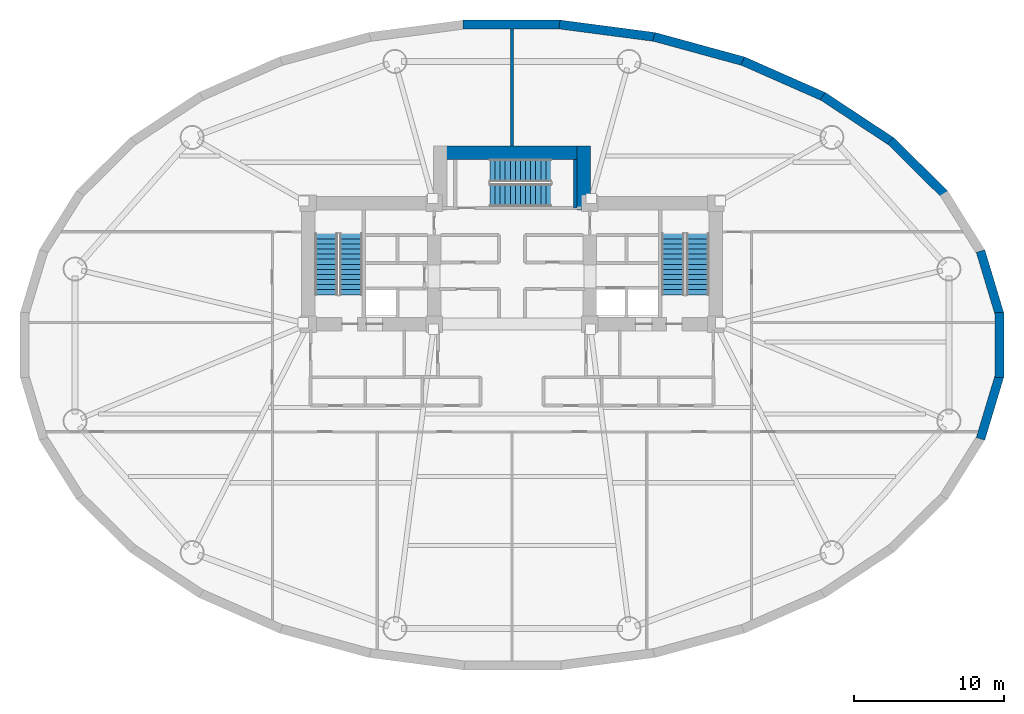
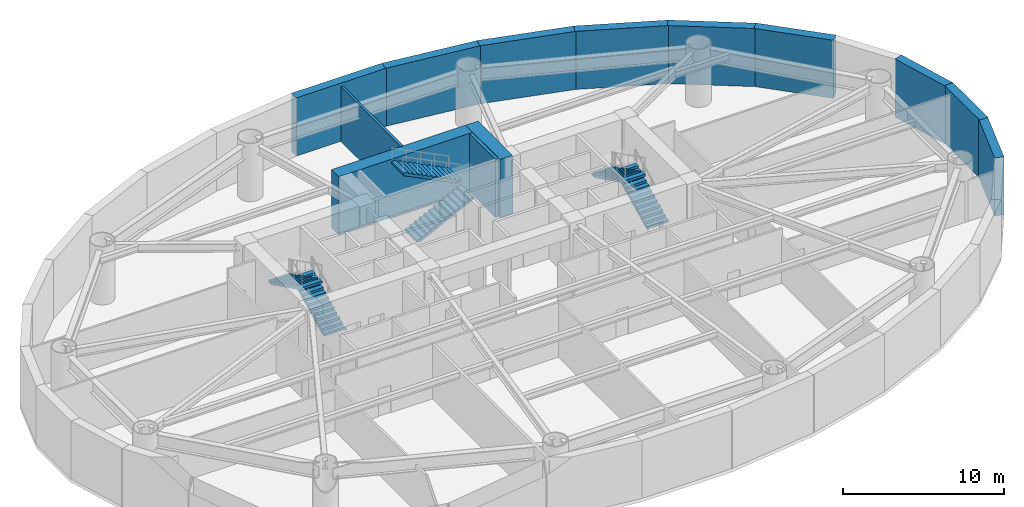
# One storey, part 5 of 6: 13 walls, 6 stair flights, 3 elements without a shape of their own.
"""IFC4 building model written with IfcOpenShell, lengths in metres."""

import ifcopenshell
import ifcopenshell.guid

model = None  # the IFC model being written
_history = None  # IfcOwnerHistory: only IFC2X3 demands one
_inside = {}  # id of a spatial element -> (the spatial element, [elements in it])
_under = {}  # id of a project, library or spatial element -> (it, [spatial elements below it])
_declared = {}  # id of a project -> (the project, [libraries it declares])
_typed = {}  # id of a type object -> (the type object, [elements of that type])
_made_of = {}  # id of a material, layer set ... -> (it, [elements and type objects made of it])


def new_model(schema):
    """Start an empty IFC model of exactly this schema.

    Asked for "IFC4X3", IfcOpenShell would pick the latest addendum, in which some entities
    have other attributes; the version numbers below select the first issue.
    IFC2X3 requires an IfcOwnerHistory on every rooted entity: one is made here for all.
    """
    global model, _history
    if schema == "IFC4X3":
        model = ifcopenshell.file(schema_version=(4, 3, 0, 0))
    else:
        model = ifcopenshell.file(schema=schema)
    _inside.clear()
    _under.clear()
    _declared.clear()
    _typed.clear()
    _made_of.clear()
    _history = None
    if model.schema == "IFC2X3":
        org = make("IfcOrganization", Name="unknown")
        user = make(
            "IfcPersonAndOrganization",
            ThePerson=make("IfcPerson", FamilyName="unknown"),
            TheOrganization=org,
        )
        app = make(
            "IfcApplication",
            ApplicationDeveloper=org,
            Version="unknown",
            ApplicationFullName="unknown",
            ApplicationIdentifier="unknown",
        )
        _history = make(
            "IfcOwnerHistory",
            OwningUser=user,
            OwningApplication=app,
            ChangeAction="ADDED",
            CreationDate=0,
        )
    return model


def make(cls, **values):
    """One entity of the class cls with the attributes given. An attribute that is None is left unset."""
    return model.create_entity(
        cls, **{name: value for name, value in values.items() if value is not None}
    )


def rooted(cls, **values):
    """An entity with a GlobalId (a new one), such as an element, a storey or a relation."""
    return make(cls, GlobalId=ifcopenshell.guid.new(), OwnerHistory=_history, **values)


def si_unit(unit_type, name, prefix=None):
    """IfcSIUnit, for example si_unit("LENGTHUNIT", "METRE", prefix="MILLI")."""
    return make("IfcSIUnit", UnitType=unit_type, Prefix=prefix, Name=name)


def assignment(units):
    """IfcUnitAssignment: the units of a project."""
    return None if units is None else make("IfcUnitAssignment", Units=units)


def point(xyz):
    """IfcCartesianPoint."""
    return None if xyz is None else make("IfcCartesianPoint", Coordinates=xyz)


def direction(xyz):
    """IfcDirection."""
    return None if xyz is None else make("IfcDirection", DirectionRatios=xyz)


def frame(location, z_axis=None, x_axis=None):
    """IfcAxis2Placement3D, a coordinate frame: its origin and axes. An axis left out is left unset."""
    return make(
        "IfcAxis2Placement3D",
        Location=point(location),
        Axis=direction(z_axis),
        RefDirection=direction(x_axis),
    )


def frame_2d(location, x_axis=None):
    """IfcAxis2Placement2D, a coordinate frame in the plane: its origin and x axis."""
    return make(
        "IfcAxis2Placement2D", Location=point(location), RefDirection=direction(x_axis)
    )


def origin():
    """The frame at (0, 0, 0) with its axes left unset."""
    return frame((0.0, 0.0, 0.0))


def place(relative_to, where):
    """IfcLocalPlacement: puts the frame where relative to a parent placement (None: the world)."""
    return make(
        "IfcLocalPlacement", PlacementRelTo=relative_to, RelativePlacement=where
    )


def context(
    kind, dimensions, precision=None, world=None, true_north=None, identifier=None
):
    """IfcGeometricRepresentationContext, for example the 3D "Model" context."""
    return make(
        "IfcGeometricRepresentationContext",
        ContextIdentifier=identifier,
        ContextType=kind,
        CoordinateSpaceDimension=dimensions,
        Precision=precision,
        WorldCoordinateSystem=world,
        TrueNorth=true_north,
    )


def subcontext(parent, identifier, kind, view, scale=None):
    """IfcGeometricRepresentationSubContext, for example "Body" below "Model"."""
    return make(
        "IfcGeometricRepresentationSubContext",
        ContextIdentifier=identifier,
        ContextType=kind,
        ParentContext=parent,
        TargetScale=scale,
        TargetView=view,
    )


def project(units=None, contexts=None):
    """IfcProject with its units and contexts."""
    return rooted(
        "IfcProject",
        Name="project",
        RepresentationContexts=contexts,
        UnitsInContext=assignment(units),
    )


def spatial(cls, under=None, at=None, **own):
    """A site, building, storey or space (cls), placed at a placement, below another one or the project."""
    s = rooted(cls, ObjectPlacement=at, **own)
    if under is not None:
        _under.setdefault(under.id(), (under, []))[1].append(s)
    return s


def polyline(points):
    """IfcPolyline through the points."""
    return make("IfcPolyline", Points=[point(p) for p in points])


def profile(cls, at=None, kind="AREA", **sizes):
    """A parametric profile (cls). Its sizes go by their IFC names, for example OverallWidth=200.0."""
    return make(cls, ProfileType=kind, Position=at, **sizes)


def rectangle(**sizes):
    """IfcRectangleProfileDef."""
    return profile("IfcRectangleProfileDef", **sizes)


def outline(outer, holes=None, kind="AREA"):
    """IfcArbitraryClosedProfileDef: a profile drawn as a closed curve; with holes, ...WithVoids."""
    if holes is None:
        return make("IfcArbitraryClosedProfileDef", ProfileType=kind, OuterCurve=outer)
    return make(
        "IfcArbitraryProfileDefWithVoids",
        ProfileType=kind,
        OuterCurve=outer,
        InnerCurves=holes,
    )


def extrude(swept, where, along, depth):
    """IfcExtrudedAreaSolid: the profile swept, set in the frame where, extruded along a direction by depth."""
    return make(
        "IfcExtrudedAreaSolid",
        SweptArea=swept,
        Position=where,
        ExtrudedDirection=direction(along),
        Depth=depth,
    )


def shape(context_of_items, identifier, shape_type, items):
    """IfcShapeRepresentation: the items that make up one representation, for example the "Body"."""
    return make(
        "IfcShapeRepresentation",
        ContextOfItems=context_of_items,
        RepresentationIdentifier=identifier,
        RepresentationType=shape_type,
        Items=items,
    )


def material(Name=None, Category=None):
    """IfcMaterial."""
    return make("IfcMaterial", Name=Name, Category=Category)


def layer(
    of_material, thickness, ventilated=None, Name=None, Category=None, Priority=None
):
    """IfcMaterialLayer: one layer of a wall or slab, of a material (None: an air gap)."""
    return make(
        "IfcMaterialLayer",
        Material=of_material,
        LayerThickness=thickness,
        IsVentilated=ventilated,
        Name=Name,
        Category=Category,
        Priority=Priority,
    )


def layer_set(layers, Name=None):
    """IfcMaterialLayerSet."""
    return make("IfcMaterialLayerSet", MaterialLayers=layers, LayerSetName=Name)


def made_of(thing, what):
    """Note that an element or type object is made of a material, layer set ...; save() writes the relation."""
    if what is not None:
        _made_of.setdefault(what.id(), (what, []))[1].append(thing)
    return thing


def type_object(cls, material=None, **own):
    """A type object (cls), such as IfcWallType, which elements share."""
    return made_of(rooted(cls, **own), material)


def element(
    cls,
    number,
    at=None,
    inside=None,
    cuts=None,
    type_object=None,
    material=None,
    context=None,
    identifier="Body",
    shape_type=None,
    held_by="IfcProductDefinitionShape",
    body=None,
    shapes=None,
    **own,
):
    """One element of the class cls, such as IfcWall. Its Tag is "e" and its number.

    at: its placement. inside: the storey or other place that contains it. cuts: it is an
    opening in that element (IfcRelVoidsElement). A single representation is given by context,
    identifier, shape_type and body (its items); several are given by shapes. held_by: the class
    of the entity that holds the representations. save() writes the other relations.
    """
    e = rooted(cls, Tag="e%d" % number, ObjectPlacement=at, **own)
    if body is not None:
        shapes = [shape(context, identifier, shape_type, body)]
    if shapes is not None:
        e.Representation = make(held_by, Representations=shapes)
    if inside is not None:
        _inside.setdefault(inside.id(), (inside, []))[1].append(e)
    if cuts is not None:
        rooted(
            "IfcRelVoidsElement", RelatingBuildingElement=cuts, RelatedOpeningElement=e
        )
    if type_object is not None:
        _typed.setdefault(type_object.id(), (type_object, []))[1].append(e)
    return made_of(e, material)


def aggregate(whole, parts):
    """IfcRelAggregates: a whole, such as a stair, and the parts it consists of."""
    return rooted("IfcRelAggregates", RelatingObject=whole, RelatedObjects=parts)


def save(model, path):
    """Write the relations noted so far, then the file.

    IfcRelAggregates (storeys below a building ...), IfcRelContainedInSpatialStructure (elements
    in a storey), IfcRelDefinesByType, IfcRelAssociatesMaterial and IfcRelDeclares: one each for
    every whole, place, type object, material and project.
    """
    for whole, parts in _under.values():
        aggregate(whole, parts)
    for where, things in _inside.values():
        rooted(
            "IfcRelContainedInSpatialStructure",
            RelatedElements=things,
            RelatingStructure=where,
        )
    for kind, things in _typed.values():
        rooted("IfcRelDefinesByType", RelatedObjects=things, RelatingType=kind)
    for what, things in _made_of.values():
        rooted("IfcRelAssociatesMaterial", RelatedObjects=things, RelatingMaterial=what)
    for by, libraries in _declared.values():
        rooted("IfcRelDeclares", RelatingContext=by, RelatedDefinitions=libraries)
    model.write(path)


model = new_model("IFC4")

# Units and contexts
model_context = context("Model", 3, precision=1e-05, world=origin(), true_north=direction((0.0, 1.0)))
body_context = subcontext(model_context, "Body", "Model", "MODEL_VIEW")
ifc_project = project(units=[si_unit("LENGTHUNIT", "METRE"), si_unit("AREAUNIT", "SQUARE_METRE"), si_unit("VOLUMEUNIT", "CUBIC_METRE"), si_unit("PLANEANGLEUNIT", "RADIAN"), si_unit("MASSUNIT", "GRAM", prefix="KILO")], contexts=[model_context])

# Site, building, storey
site_placement = place(None, origin())
site = spatial("IfcSite", under=ifc_project, at=site_placement, CompositionType="ELEMENT")
building_placement = place(site_placement, origin())
building = spatial("IfcBuilding", under=site, at=building_placement, Name="Keldmark Tower", CompositionType="ELEMENT")
storey_placement = place(building_placement, frame((0.0, 0.0, -4.39990234375)))
storey = spatial("IfcBuildingStorey", under=building, at=storey_placement, Name="B01", CompositionType="ELEMENT", Elevation=-4.39990234375)

# Walls
ifc_material_1 = material(Name="Concrete C50/60", Category="concrete")
ifc_layer_1 = layer(ifc_material_1, 0.60009765625)
ifc_layer_set_1 = layer_set([ifc_layer_1], Name="Concrete C50/60")
wall_type_1 = type_object("IfcWallType", Name="Basement Retaining Wall 600 mm", PredefinedType="USERDEFINED", material=ifc_layer_set_1)
wall_1_placement = place(storey_placement, frame((32.5625, 2.021484375, 0.0), z_axis=(0.0, 0.0, 1.0), x_axis=(-0.288296686647, 0.95754113252, 0.0)))
element("IfcWall", 1, at=wall_1_placement, inside=storey, type_object=wall_type_1, Name="B01 Perimeter Retaining Wall 01", ObjectType="RETAINING WALL", PredefinedType="USERDEFINED", context=body_context, shape_type="SweptSolid", body=[
    extrude(rectangle(XDim=4.4375, YDim=0.60009765625, at=frame_2d((2.21875, 0.0))), origin(), (0.0, 0.0, 1.0), 4.39990234375),
])
wall_2_placement = place(storey_placement, frame((28.913818359375, 10.0419921875, 0.0), z_axis=(0.0, 0.0, 1.0), x_axis=(-0.711105403666, 0.70308541791, 0.0)))
element("IfcWall", 2, at=wall_2_placement, inside=storey, type_object=wall_type_1, Name="B01 Perimeter Retaining Wall 03", ObjectType="RETAINING WALL", PredefinedType="USERDEFINED", context=body_context, shape_type="SweptSolid", body=[
    extrude(rectangle(XDim=5.1142578125, YDim=0.60009765625, at=frame_2d((2.55712890625, 0.0))), origin(), (0.0, 0.0, 1.0), 4.39990234375),
])
wall_3_placement = place(storey_placement, frame((25.368896484375, 13.56298828125, 0.0), z_axis=(0.0, 0.0, 1.0), x_axis=(-0.834367518908, 0.551208529861, 0.0)))
element("IfcWall", 3, at=wall_3_placement, inside=storey, type_object=wall_type_1, Name="B01 Perimeter Retaining Wall 04", ObjectType="RETAINING WALL", PredefinedType="USERDEFINED", context=body_context, shape_type="SweptSolid", body=[
    extrude(rectangle(XDim=5.542236328125, YDim=0.60009765625, at=frame_2d((2.77099609375, 0.0))), origin(), (0.0, 0.0, 1.0), 4.39990234375),
])
wall_4_placement = place(storey_placement, frame((20.84130859375, 16.56494140625, 0.0), z_axis=(0.0, 0.0, 1.0), x_axis=(-0.91483072277, 0.403837527574, 0.0)))
element("IfcWall", 4, at=wall_4_placement, inside=storey, type_object=wall_type_1, Name="B01 Perimeter Retaining Wall 05", ObjectType="RETAINING WALL", PredefinedType="USERDEFINED", context=body_context, shape_type="SweptSolid", body=[
    extrude(rectangle(XDim=5.939697265625, YDim=0.60009765625, at=frame_2d((2.9697265625, 0.0))), origin(), (0.0, 0.0, 1.0), 4.39990234375),
])
wall_5_placement = place(storey_placement, frame((15.505859375, 18.9287109375, 0.0), z_axis=(0.0, 0.0, 1.0), x_axis=(-0.964548276597, 0.263906464707, 0.0)))
element("IfcWall", 5, at=wall_5_placement, inside=storey, type_object=wall_type_1, Name="B01 Perimeter Retaining Wall 06", ObjectType="RETAINING WALL", PredefinedType="USERDEFINED", context=body_context, shape_type="SweptSolid", body=[
    extrude(rectangle(XDim=6.256591796875, YDim=0.60009765625, at=frame_2d((3.12841796875, 0.0))), origin(), (0.0, 0.0, 1.0), 4.39990234375),
])
wall_6_placement = place(storey_placement, frame((9.570068359375, 20.559814453125, 0.0), z_axis=(0.0, 0.0, 1.0), x_axis=(-0.991471782517, 0.130321542624, 0.0)))
element("IfcWall", 6, at=wall_6_placement, inside=storey, type_object=wall_type_1, Name="B01 Perimeter Retaining Wall 07", ObjectType="RETAINING WALL", PredefinedType="USERDEFINED", context=body_context, shape_type="SweptSolid", body=[
    extrude(rectangle(XDim=6.45947265625, YDim=0.60009765625, at=frame_2d((3.229736328125, 0.0))), origin(), (0.0, 0.0, 1.0), 4.39990234375),
])
wall_7_placement = place(storey_placement, frame((3.2646484375, 21.39501953125, 0.0), z_axis=(0.0, 0.0, 1.0), x_axis=(-1.0, 0.0, 0.0)))
element("IfcWall", 7, at=wall_7_placement, inside=storey, type_object=wall_type_1, Name="B01 Perimeter Retaining Wall 08", ObjectType="RETAINING WALL", PredefinedType="USERDEFINED", context=body_context, shape_type="SweptSolid", body=[
    extrude(rectangle(XDim=6.529296875, YDim=0.60009765625, at=frame_2d((3.2646484375, 0.0))), origin(), (0.0, 0.0, 1.0), 4.39990234375),
])
wall_8_placement = place(storey_placement, frame((31.283203125, -6.2705078125, 0.0), z_axis=(0.0, 0.0, 1.0), x_axis=(0.288296686647, 0.95754113252, 0.0)))
element("IfcWall", 8, at=wall_8_placement, inside=storey, type_object=wall_type_1, Name="B01 Perimeter Retaining Wall 31", ObjectType="RETAINING WALL", PredefinedType="USERDEFINED", context=body_context, shape_type="SweptSolid", body=[
    extrude(rectangle(XDim=4.4375, YDim=0.60009765625, at=frame_2d((2.21875, 0.0))), origin(), (0.0, 0.0, 1.0), 4.39990234375),
])
wall_9_placement = place(storey_placement, frame((32.541015625, -2.166748046875, 0.0), z_axis=(0.0, 0.0, 1.0), x_axis=(0.0, 1.0, 0.0)))
element("IfcWall", 9, at=wall_9_placement, inside=storey, type_object=wall_type_1, Name="B01 Perimeter Retaining Wall 32", ObjectType="RETAINING WALL", PredefinedType="USERDEFINED", context=body_context, shape_type="SweptSolid", body=[
    extrude(rectangle(XDim=4.33349609375, YDim=0.60009765625, at=frame_2d((2.166748046875, 0.0))), origin(), (0.0, 0.0, 1.0), 4.39990234375),
])
ifc_material_2 = material(Name="STC-58 Insulated Tenant Demising Gypsum Partition", Category="gypsum")
ifc_layer_2 = layer(ifc_material_2, 0.175048828125)
ifc_layer_set_2 = layer_set([ifc_layer_2], Name="STC-58 Insulated Tenant Demising Gypsum Partition")
wall_type_2 = type_object("IfcWallType", Name="Demising Suite Partition 175 mm", PredefinedType="PARTITIONING", material=ifc_layer_set_2)
wall_10_placement = place(storey_placement, frame((0.0, 13.300048828125, 0.0), z_axis=(0.0, 0.0, 1.0), x_axis=(0.0, 1.0, 0.0)))
element("IfcWall", 10, at=wall_10_placement, inside=storey, type_object=wall_type_2, Name="B01 Demising Suite Partition 175 mm N-MID-DIV", PredefinedType="PARTITIONING", context=body_context, shape_type="SweptSolid", body=[
    extrude(rectangle(XDim=7.786865234375, YDim=0.175048828125, at=frame_2d((3.8935546875, 0.0))), origin(), (0.0, 0.0, 1.0), 4.139892578125),
])
ifc_material_3 = material(Name="Concrete C70/85", Category="concrete")
ifc_layer_3 = layer(ifc_material_3, 0.89990234375)
ifc_layer_set_3 = layer_set([ifc_layer_3], Name="Concrete C70/85")
wall_type_3 = type_object("IfcWallType", Name="Lower Core Shear Wall 900 mm", PredefinedType="SHEAR", material=ifc_layer_set_3)
wall_11_placement = place(storey_placement, frame((-5.25, 12.85009765625, 0.0), z_axis=(0.0, 0.0, 1.0), x_axis=(1.0, 0.0, 0.0)))
element("IfcWall", 11, at=wall_11_placement, inside=storey, type_object=wall_type_3, Name="B01 North Core Shear Wall", PredefinedType="SHEAR", context=body_context, shape_type="SweptSolid", body=[
    extrude(rectangle(XDim=10.5, YDim=0.89990234375, at=frame_2d((5.25, 0.0))), origin(), (0.0, 0.0, 1.0), 4.39990234375),
])
wall_12_placement = place(storey_placement, frame((4.800048828125, 9.0, 0.0), z_axis=(0.0, 0.0, 1.0), x_axis=(0.0, 1.0, 0.0)))
element("IfcWall", 12, at=wall_12_placement, inside=storey, type_object=wall_type_3, Name="B01 North Core East Shear Wall", PredefinedType="SHEAR", context=body_context, shape_type="SweptSolid", body=[
    extrude(rectangle(XDim=4.300048828125, YDim=0.89990234375, at=frame_2d((2.14990234375, 0.0))), origin(), (0.0, 0.0, 1.0), 4.39990234375),
])
ifc_material_4 = material(Name="Concrete C50/60", Category="concrete")
ifc_layer_4 = layer(ifc_material_4, 0.219970703125)
ifc_layer_set_4 = layer_set([ifc_layer_4], Name="Concrete C50/60")
wall_type_4 = type_object("IfcWallType", Name="Stair Core Shear Wall 220 mm", PredefinedType="SHEAR", material=ifc_layer_set_4)
wall_13_placement = place(storey_placement, frame((4.215087890625, 9.139892578125, 0.0), z_axis=(0.0, 0.0, 1.0), x_axis=(0.0, 1.0, 0.0)))
element("IfcWall", 13, at=wall_13_placement, inside=storey, type_object=wall_type_4, Name="B01 Central Stair Core East Shear Wall", PredefinedType="SHEAR", context=body_context, shape_type="SweptSolid", body=[
    extrude(rectangle(XDim=3.260009765625, YDim=0.219970703125, at=frame_2d((1.6298828125, 0.0))), origin(), (0.0, 0.0, 1.0), 4.39990234375),
])

# Stair, stair flights
ifc_material_5 = material(Name="Concrete C40/50", Category="concrete")
stair_type = type_object("IfcStairType", Name="Precast Concrete Core Exit Stair", PredefinedType="HALF_TURN_STAIR", material=ifc_material_5)
stair_1_placement = place(storey_placement, origin())
stair_1 = element("IfcStair", 14, at=stair_1_placement, inside=storey, type_object=stair_type, Name="B01 Exit Stair ST1", PredefinedType="HALF_TURN_STAIR")
ifc_material_6 = material(Name="Concrete C40/50", Category="concrete")
stair_flight_type = type_object("IfcStairFlightType", Name="Precast Concrete Stair Flight 1500 mm", PredefinedType="STRAIGHT", material=ifc_material_6)
stair_flight_1_placement = place(storey_placement, frame((-10.75, 3.35009765625, 0.0), z_axis=(0.0, 0.0, 1.0), x_axis=(0.0, 1.0, 0.0)))
stair_flight_1 = element("IfcStairFlight", 15, at=stair_flight_1_placement, type_object=stair_flight_type, Name="ST1 flight 1", NumberOfRisers=13, NumberOfTreads=12, PredefinedType="STRAIGHT", RiserHeight=0.169230769, TreadLength=0.34, context=body_context, shape_type="SweptSolid", body=[
    extrude(outline(polyline([(0.0, 0.0), (0.0, 0.169189453125), (0.340087890625, 0.169189453125), (0.340087890625, 0.33837890625), (0.679931640625, 0.33837890625), (0.679931640625, 0.5078125), (1.02001953125, 0.5078125), (1.02001953125, 0.677001953125), (1.360107421875, 0.677001953125), (1.360107421875, 0.84619140625), (1.699951171875, 0.84619140625), (1.699951171875, 1.015380859375), (2.0400390625, 1.015380859375), (2.0400390625, 1.1845703125), (2.3798828125, 1.1845703125), (2.3798828125, 1.353759765625), (2.719970703125, 1.353759765625), (2.719970703125, 1.523193359375), (3.06005859375, 1.523193359375), (3.06005859375, 1.6923828125), (3.39990234375, 1.6923828125), (3.39990234375, 1.861572265625), (3.739990234375, 1.861572265625), (3.739990234375, 2.03076171875), (4.080078125, 2.03076171875), (4.080078125, 2.199951171875), (4.080078125, 1.86328125), (0.33642578125, 0.0), (0.0, 0.0)])), frame((0.0, 0.75, 0.0), z_axis=(0.0, -1.0, 0.0), x_axis=(1.0, 0.0, 0.0)), (0.0, 0.0, 1.0), 1.5),
])
stair_flight_2_placement = place(storey_placement, frame((-12.39990234375, 7.429931640625, 2.199951171875), z_axis=(0.0, 0.0, 1.0), x_axis=(0.0, -1.0, 0.0)))
stair_flight_2 = element("IfcStairFlight", 16, at=stair_flight_2_placement, type_object=stair_flight_type, Name="ST1 flight 2", NumberOfRisers=13, NumberOfTreads=12, PredefinedType="STRAIGHT", RiserHeight=0.169230769, TreadLength=0.34, context=body_context, shape_type="SweptSolid", body=[
    extrude(outline(polyline([(0.0, 0.0), (0.0, 0.169189453125), (0.340087890625, 0.169189453125), (0.340087890625, 0.33837890625), (0.679931640625, 0.33837890625), (0.679931640625, 0.5078125), (1.02001953125, 0.5078125), (1.02001953125, 0.677001953125), (1.360107421875, 0.677001953125), (1.360107421875, 0.84619140625), (1.699951171875, 0.84619140625), (1.699951171875, 1.015380859375), (2.0400390625, 1.015380859375), (2.0400390625, 1.1845703125), (2.3798828125, 1.1845703125), (2.3798828125, 1.353759765625), (2.719970703125, 1.353759765625), (2.719970703125, 1.523193359375), (3.06005859375, 1.523193359375), (3.06005859375, 1.6923828125), (3.39990234375, 1.6923828125), (3.39990234375, 1.861572265625), (3.739990234375, 1.861572265625), (3.739990234375, 2.03076171875), (4.080078125, 2.03076171875), (4.080078125, 2.199951171875), (4.080078125, 1.86328125), (0.33642578125, 0.0), (0.0, 0.0)])), frame((0.0, 0.75, 0.0), z_axis=(0.0, -1.0, 0.0), x_axis=(1.0, 0.0, 0.0)), (0.0, 0.0, 1.0), 1.5),
])
aggregate(stair_1, [stair_flight_1, stair_flight_2])

stair_2_placement = place(storey_placement, origin())
stair_2 = element("IfcStair", 17, at=stair_2_placement, inside=storey, type_object=stair_type, Name="B01 Exit Stair ST2", PredefinedType="HALF_TURN_STAIR")
stair_flight_3_placement = place(storey_placement, frame((12.39990234375, 3.35009765625, 0.0), z_axis=(0.0, 0.0, 1.0), x_axis=(0.0, 1.0, 0.0)))
stair_flight_3 = element("IfcStairFlight", 18, at=stair_flight_3_placement, type_object=stair_flight_type, Name="ST2 flight 1", NumberOfRisers=13, NumberOfTreads=12, PredefinedType="STRAIGHT", RiserHeight=0.169230769, TreadLength=0.34, context=body_context, shape_type="SweptSolid", body=[
    extrude(outline(polyline([(0.0, 0.0), (0.0, 0.169189453125), (0.340087890625, 0.169189453125), (0.340087890625, 0.33837890625), (0.679931640625, 0.33837890625), (0.679931640625, 0.5078125), (1.02001953125, 0.5078125), (1.02001953125, 0.677001953125), (1.360107421875, 0.677001953125), (1.360107421875, 0.84619140625), (1.699951171875, 0.84619140625), (1.699951171875, 1.015380859375), (2.0400390625, 1.015380859375), (2.0400390625, 1.1845703125), (2.3798828125, 1.1845703125), (2.3798828125, 1.353759765625), (2.719970703125, 1.353759765625), (2.719970703125, 1.523193359375), (3.06005859375, 1.523193359375), (3.06005859375, 1.6923828125), (3.39990234375, 1.6923828125), (3.39990234375, 1.861572265625), (3.739990234375, 1.861572265625), (3.739990234375, 2.03076171875), (4.080078125, 2.03076171875), (4.080078125, 2.199951171875), (4.080078125, 1.86328125), (0.33642578125, 0.0), (0.0, 0.0)])), frame((0.0, 0.75, 0.0), z_axis=(0.0, -1.0, 0.0), x_axis=(1.0, 0.0, 0.0)), (0.0, 0.0, 1.0), 1.5),
])
stair_flight_4_placement = place(storey_placement, frame((10.75, 7.429931640625, 2.199951171875), z_axis=(0.0, 0.0, 1.0), x_axis=(0.0, -1.0, 0.0)))
stair_flight_4 = element("IfcStairFlight", 19, at=stair_flight_4_placement, type_object=stair_flight_type, Name="ST2 flight 2", NumberOfRisers=13, NumberOfTreads=12, PredefinedType="STRAIGHT", RiserHeight=0.169230769, TreadLength=0.34, context=body_context, shape_type="SweptSolid", body=[
    extrude(outline(polyline([(0.0, 0.0), (0.0, 0.169189453125), (0.340087890625, 0.169189453125), (0.340087890625, 0.33837890625), (0.679931640625, 0.33837890625), (0.679931640625, 0.5078125), (1.02001953125, 0.5078125), (1.02001953125, 0.677001953125), (1.360107421875, 0.677001953125), (1.360107421875, 0.84619140625), (1.699951171875, 0.84619140625), (1.699951171875, 1.015380859375), (2.0400390625, 1.015380859375), (2.0400390625, 1.1845703125), (2.3798828125, 1.1845703125), (2.3798828125, 1.353759765625), (2.719970703125, 1.353759765625), (2.719970703125, 1.523193359375), (3.06005859375, 1.523193359375), (3.06005859375, 1.6923828125), (3.39990234375, 1.6923828125), (3.39990234375, 1.861572265625), (3.739990234375, 1.861572265625), (3.739990234375, 2.03076171875), (4.080078125, 2.03076171875), (4.080078125, 2.199951171875), (4.080078125, 1.86328125), (0.33642578125, 0.0), (0.0, 0.0)])), frame((0.0, 0.75, 0.0), z_axis=(0.0, -1.0, 0.0), x_axis=(1.0, 0.0, 0.0)), (0.0, 0.0, 1.0), 1.5),
])
aggregate(stair_2, [stair_flight_3, stair_flight_4])

stair_3_placement = place(storey_placement, origin())
stair_3 = element("IfcStair", 20, at=stair_3_placement, inside=storey, type_object=stair_type, Name="B01 Exit Stair ST3", PredefinedType="HALF_TURN_STAIR")
stair_flight_5_placement = place(storey_placement, frame((-1.47509765625, 10.0, 0.0), z_axis=(0.0, 0.0, 1.0), x_axis=(1.0, 0.0, 0.0)))
stair_flight_5 = element("IfcStairFlight", 21, at=stair_flight_5_placement, type_object=stair_flight_type, Name="ST3 flight 1", NumberOfRisers=13, NumberOfTreads=12, PredefinedType="STRAIGHT", RiserHeight=0.169230769, TreadLength=0.34, context=body_context, shape_type="SweptSolid", body=[
    extrude(outline(polyline([(0.0, 0.0), (0.0, 0.169189453125), (0.340087890625, 0.169189453125), (0.340087890625, 0.33837890625), (0.679931640625, 0.33837890625), (0.679931640625, 0.5078125), (1.02001953125, 0.5078125), (1.02001953125, 0.677001953125), (1.360107421875, 0.677001953125), (1.360107421875, 0.84619140625), (1.699951171875, 0.84619140625), (1.699951171875, 1.015380859375), (2.0400390625, 1.015380859375), (2.0400390625, 1.1845703125), (2.3798828125, 1.1845703125), (2.3798828125, 1.353759765625), (2.719970703125, 1.353759765625), (2.719970703125, 1.523193359375), (3.06005859375, 1.523193359375), (3.06005859375, 1.6923828125), (3.39990234375, 1.6923828125), (3.39990234375, 1.861572265625), (3.739990234375, 1.861572265625), (3.739990234375, 2.03076171875), (4.080078125, 2.03076171875), (4.080078125, 2.199951171875), (4.080078125, 1.86328125), (0.33642578125, 0.0), (0.0, 0.0)])), frame((0.0, 0.75, 0.0), z_axis=(0.0, -1.0, 0.0), x_axis=(1.0, 0.0, 0.0)), (0.0, 0.0, 1.0), 1.5),
])
stair_flight_6_placement = place(storey_placement, frame((2.60498046875, 11.64990234375, 2.199951171875), z_axis=(0.0, 0.0, 1.0), x_axis=(-1.0, 0.0, 0.0)))
stair_flight_6 = element("IfcStairFlight", 22, at=stair_flight_6_placement, type_object=stair_flight_type, Name="ST3 flight 2", NumberOfRisers=13, NumberOfTreads=12, PredefinedType="STRAIGHT", RiserHeight=0.169230769, TreadLength=0.34, context=body_context, shape_type="SweptSolid", body=[
    extrude(outline(polyline([(0.0, 0.0), (0.0, 0.169189453125), (0.340087890625, 0.169189453125), (0.340087890625, 0.33837890625), (0.679931640625, 0.33837890625), (0.679931640625, 0.5078125), (1.02001953125, 0.5078125), (1.02001953125, 0.677001953125), (1.360107421875, 0.677001953125), (1.360107421875, 0.84619140625), (1.699951171875, 0.84619140625), (1.699951171875, 1.015380859375), (2.0400390625, 1.015380859375), (2.0400390625, 1.1845703125), (2.3798828125, 1.1845703125), (2.3798828125, 1.353759765625), (2.719970703125, 1.353759765625), (2.719970703125, 1.523193359375), (3.06005859375, 1.523193359375), (3.06005859375, 1.6923828125), (3.39990234375, 1.6923828125), (3.39990234375, 1.861572265625), (3.739990234375, 1.861572265625), (3.739990234375, 2.03076171875), (4.080078125, 2.03076171875), (4.080078125, 2.199951171875), (4.080078125, 1.86328125), (0.33642578125, 0.0), (0.0, 0.0)])), frame((0.0, 0.75, 0.0), z_axis=(0.0, -1.0, 0.0), x_axis=(1.0, 0.0, 0.0)), (0.0, 0.0, 1.0), 1.5),
])
aggregate(stair_3, [stair_flight_5, stair_flight_6])

save(model, "model.ifc")
